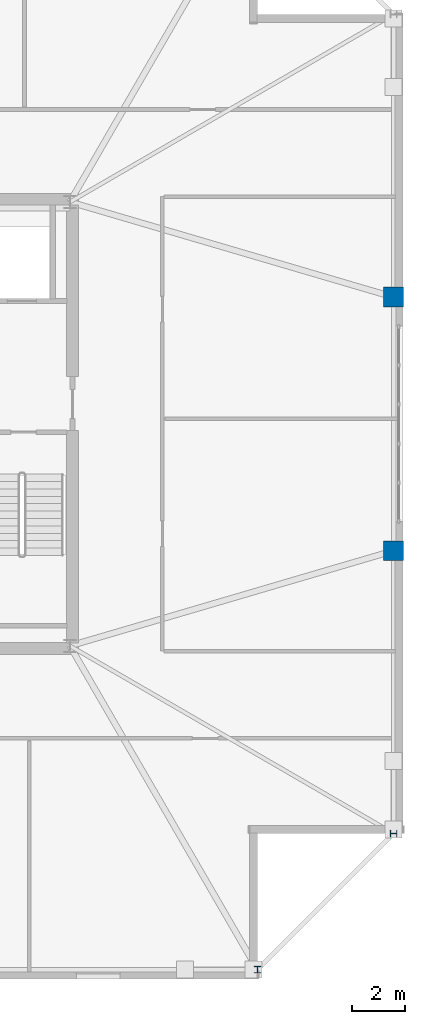
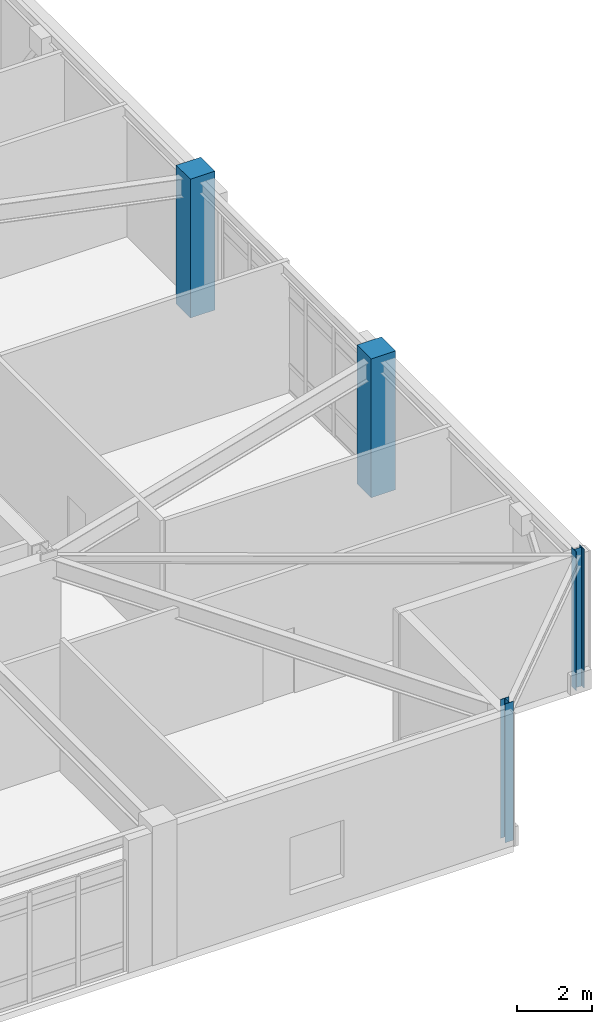
# One storey, part 3 of 16: 4 columns.
"""IFC4 building model written with IfcOpenShell, lengths in metres."""

from ifc_helpers import new_model, si_unit, direction, frame, origin, origin_2d, place, context, subcontext, project, spatial, rectangle, i_section, extrude, material, material_profile, profile_set, type_object, element, save


model = new_model("IFC4")

# Units and contexts
model_context = context("Model", 3, precision=1e-05, world=origin(), true_north=direction((0.0, 1.0)))
body_context = subcontext(model_context, "Body", "Model", "MODEL_VIEW")
ifc_project = project(units=[si_unit("LENGTHUNIT", "METRE"), si_unit("AREAUNIT", "SQUARE_METRE"), si_unit("VOLUMEUNIT", "CUBIC_METRE"), si_unit("PLANEANGLEUNIT", "RADIAN"), si_unit("MASSUNIT", "GRAM", prefix="KILO")], contexts=[model_context])

# Site, building, storey
site_placement = place(None, origin())
site = spatial("IfcSite", under=ifc_project, at=site_placement, CompositionType="ELEMENT")
building_placement = place(site_placement, origin())
building = spatial("IfcBuilding", under=site, at=building_placement, Name="Cairnveth Concourse Tower", CompositionType="ELEMENT")
storey_placement = place(building_placement, frame((0.0, 0.0, 315.5)))
storey = spatial("IfcBuildingStorey", under=building, at=storey_placement, Name="L87", CompositionType="ELEMENT", Elevation=315.5)

# Columns
ifc_material_1 = material(Name="Concrete N50 (50 MPa)", Category="concrete")
ifc_material_profile_1 = material_profile(ifc_material_1, rectangle(XDim=0.75, YDim=0.75, at=origin_2d()), Name="RC-COL-750x750")
ifc_profile_set_1 = profile_set([ifc_material_profile_1], Name="Concrete N50 (50 MPa)")
column_type_1 = type_object("IfcColumnType", Name="PERIMETER PIER COLUMN 750X750", PredefinedType="COLUMN", material=ifc_profile_set_1)
for number, where, z_axis, x_axis, name in (
    (1, (72.64990234375, 34.199951171875, 0.0), (0.0, 0.0, 1.0), (0.0, 1.0, 0.0), "Column P-E2 L87"),
    (2, (72.64990234375, 43.800048828125, 0.0), (0.0, 0.0, 1.0), (0.0, 1.0, 0.0), "Column P-E3 L87"),
):
    element("IfcColumn", number, at=place(storey_placement, frame(where, z_axis=z_axis, x_axis=x_axis)), inside=storey, type_object=column_type_1, Name=name, PredefinedType="COLUMN", context=body_context, shape_type="SweptSolid", body=[
        extrude(rectangle(XDim=0.75, YDim=0.75, at=origin_2d()), origin(), (0.0, 0.0, 1.0), 4.5),
    ])
ifc_material_2 = material(Name="Steel Grade 350", Category="steel")
ifc_material_profile_2 = material_profile(ifc_material_2, i_section(OverallWidth=0.25390625, OverallDepth=0.25390625, WebThickness=0.008544921875, FlangeThickness=0.01416015625, FilletRadius=0.012939453125, at=origin_2d()), Name="250UC72.9")
ifc_profile_set_2 = profile_set([ifc_material_profile_2], Name="Steel Grade 350")
column_type_2 = type_object("IfcColumnType", Name="UNIVERSAL STEEL COLUMN 250UC72.9", PredefinedType="COLUMN", material=ifc_profile_set_2)
for number, where, z_axis, x_axis, name in (
    (3, (67.5, 18.35009765625, 0.0), (0.0, 0.0, 1.0), (1.0, 0.0, 0.0), "Column P-S4 L87"),
    (4, (72.64990234375, 23.5, 0.0), (0.0, 0.0, 1.0), (0.0, 1.0, 0.0), "Column P-E1 L87"),
):
    element("IfcColumn", number, at=place(storey_placement, frame(where, z_axis=z_axis, x_axis=x_axis)), inside=storey, type_object=column_type_2, Name=name, PredefinedType="COLUMN", context=body_context, shape_type="SweptSolid", body=[
        extrude(i_section(OverallWidth=0.25390625, OverallDepth=0.25390625, WebThickness=0.008544921875, FlangeThickness=0.01416015625, FilletRadius=0.012939453125, at=origin_2d()), origin(), (0.0, 0.0, 1.0), 4.5),
    ])

save(model, "model.ifc")
